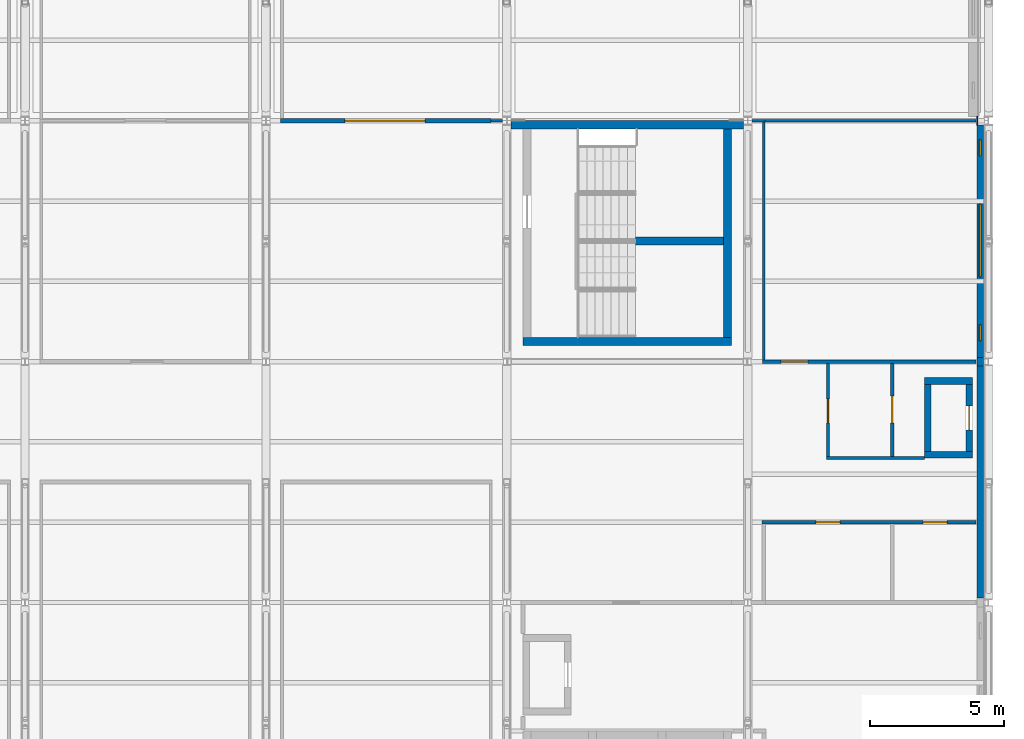
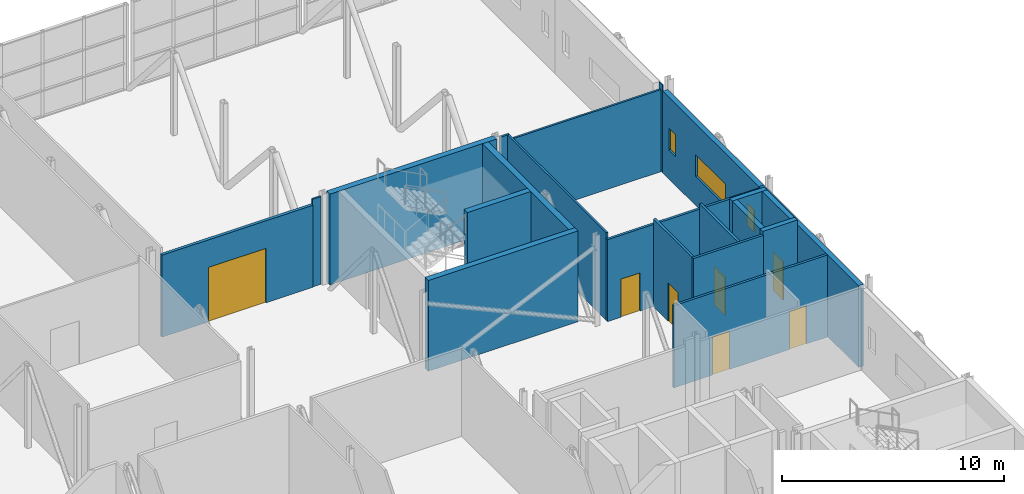
# One storey, part 81 of 94: 22 walls, 7 doors, 3 windows, 10 openings.
"""IFC4 building model written with IfcOpenShell, lengths in metres."""

from ifc_helpers import new_model, si_unit, direction, frame, frame_2d, origin, place, context, subcontext, project, spatial, rectangle, extrude, material, layer, layer_set, type_object, element, fill, save


model = new_model("IFC4")

# Units and contexts
model_context = context("Model", 3, precision=1e-05, world=origin(), true_north=direction((0.0, 1.0)))
body_context = subcontext(model_context, "Body", "Model", "MODEL_VIEW")
ifc_project = project(units=[si_unit("LENGTHUNIT", "METRE"), si_unit("AREAUNIT", "SQUARE_METRE"), si_unit("VOLUMEUNIT", "CUBIC_METRE"), si_unit("PLANEANGLEUNIT", "RADIAN"), si_unit("MASSUNIT", "GRAM", prefix="KILO")], contexts=[model_context])

# Site, building, storey
site_placement = place(None, origin())
site = spatial("IfcSite", under=ifc_project, at=site_placement, CompositionType="ELEMENT")
building_placement = place(site_placement, origin())
building = spatial("IfcBuilding", under=site, at=building_placement, Name="Shorebreak Coast Museum", CompositionType="ELEMENT")
storey_placement = place(building_placement, frame((0.0, 0.0, 31.0)))
storey = spatial("IfcBuildingStorey", under=building, at=storey_placement, Name="L05", CompositionType="ELEMENT", Elevation=31.0)

# Walls
ifc_material_1 = material(Name="Concrete N50 (50 MPa)", Category="concrete")
ifc_layer_1 = layer(ifc_material_1, 0.25)
ifc_layer_set_1 = layer_set([ifc_layer_1], Name="Concrete N50 (50 MPa)")
wall_type_1 = type_object("IfcWallType", Name="Column closure panel 250", PredefinedType="SOLIDWALL", material=ifc_layer_set_1)
wall_1_placement = place(storey_placement, frame((116.684814453125, 107.839111328125, 0.0), z_axis=(0.0, 0.0, 1.0), x_axis=(0.0, 1.0, 0.0)))
element("IfcWall", 1, at=wall_1_placement, inside=storey, type_object=wall_type_1, Name="Column closure panel L05 E 14N", PredefinedType="SOLIDWALL", context=body_context, shape_type="SweptSolid", body=[
    extrude(rectangle(XDim=0.32177734375, YDim=0.25, at=frame_2d((0.160888671875, 0.0))), origin(), (0.0, 0.0, 1.0), 4.50439453125),
])
ifc_material_2 = material(Name="Concrete N50 (50 MPa)", Category="concrete")
ifc_layer_2 = layer(ifc_material_2, 0.040283203125)
ifc_layer_set_2 = layer_set([ifc_layer_2], Name="Concrete N50 (50 MPa)")
wall_type_2 = type_object("IfcWallType", Name="Column closure panel 40", PredefinedType="SOLIDWALL", material=ifc_layer_set_2)
wall_2_placement = place(storey_placement, frame((116.579833984375, 116.83642578125, 0.0), z_axis=(0.0, 0.0, 1.0), x_axis=(0.0, 1.0, 0.0)))
element("IfcWall", 2, at=wall_2_placement, inside=storey, type_object=wall_type_2, Name="Column closure panel L05 E 14P", PredefinedType="SOLIDWALL", context=body_context, shape_type="SweptSolid", body=[
    extrude(rectangle(XDim=0.3271484375, YDim=0.040283203125, at=frame_2d((0.16357421875, 0.0))), origin(), (0.0, 0.0, 1.0), 4.824951171875),
])

# Wall, opening, door
ifc_material_3 = material(Name="Plasterboard on steel stud", Category="steel")
ifc_layer_3 = layer(ifc_material_3, 0.14990234375)
ifc_layer_set_3 = layer_set([ifc_layer_3], Name="Plasterboard on steel stud")
wall_type_3 = type_object("IfcWallType", Name="Fire partition 150", PredefinedType="PARTITIONING", material=ifc_layer_set_3)
wall_3_placement = place(storey_placement, frame((90.550048828125, 117.0, 0.0), z_axis=(0.0, 0.0, 1.0), x_axis=(1.0, 0.0, 0.0)))
wall_3 = element("IfcWall", 3, at=wall_3_placement, inside=storey, type_object=wall_type_3, Name="Partition L05-039", PredefinedType="PARTITIONING", context=body_context, shape_type="SweptSolid", body=[
    extrude(rectangle(XDim=7.849853515625, YDim=0.14990234375, at=frame_2d((3.9248046875, 0.0))), origin(), (0.0, 0.0, 1.0), 4.517822265625),
])
opening_1_placement = place(wall_3_placement, frame((2.39990234375, 0.0, 0.0)))
opening_1 = element("IfcOpeningElement", 4, at=opening_1_placement, cuts=wall_3, Name="Opening D5026", PredefinedType="OPENING", context=body_context, shape_type="SweptSolid", body=[
    extrude(rectangle(XDim=3.0, YDim=3.0, at=frame_2d((1.5, 1.5))), frame((0.0, 0.0849609375, 0.0), z_axis=(0.0, -1.0, 0.0), x_axis=(1.0, 0.0, 0.0)), (0.0, 0.0, 1.0), 0.169921875),
])
ifc_material_4 = material(Name="Steel", Category="steel")
door_type_1 = type_object("IfcDoorType", Name="Fire door 3000x3000 60", OperationType="DOUBLE_DOOR_SINGLE_SWING", PredefinedType="DOOR", material=ifc_material_4)
door_1_placement = place(opening_1_placement, origin())
door_1 = element("IfcDoor", 5, at=door_1_placement, inside=storey, type_object=door_type_1, Name="Door D5026 Maritime Gallery 5.03", OperationType="DOUBLE_DOOR_SINGLE_SWING", OverallHeight=3.0, OverallWidth=3.0, PredefinedType="DOOR", context=body_context, shape_type="SweptSolid", body=[
    extrude(rectangle(XDim=3.0, YDim=3.0, at=frame_2d((1.5, 1.5))), frame((0.0, 0.02490234375, 0.0), z_axis=(0.0, -1.0, 0.0), x_axis=(1.0, 0.0, 0.0)), (0.0, 0.0, 1.0), 0.050048828125),
])
fill(opening_1, door_1)

# Walls
ifc_material_5 = material(Name="Plasterboard on steel stud", Category="steel")
ifc_layer_4 = layer(ifc_material_5, 0.10009765625)
ifc_layer_set_4 = layer_set([ifc_layer_4], Name="Plasterboard on steel stud")
wall_type_4 = type_object("IfcWallType", Name="Partition 100", PredefinedType="PARTITIONING", material=ifc_layer_set_4)
wall_4_placement = place(storey_placement, frame((98.400390625, 117.0, 0.0), z_axis=(0.0, 0.0, 1.0), x_axis=(1.0, 0.0, 0.0)))
element("IfcWall", 6, at=wall_4_placement, inside=storey, type_object=wall_type_4, Name="Partition L05-040", PredefinedType="PARTITIONING", context=body_context, shape_type="SweptSolid", body=[
    extrude(rectangle(XDim=0.444091796875, YDim=0.10009765625, at=frame_2d((0.22216796875, 0.0))), origin(), (0.0, 0.0, 1.0), 4.824951171875),
])
wall_5_placement = place(storey_placement, frame((108.155517578125, 117.0, 0.0), z_axis=(0.0, 0.0, 1.0), x_axis=(1.0, 0.0, 0.0)))
element("IfcWall", 7, at=wall_5_placement, inside=storey, type_object=wall_type_4, Name="Partition L05-041", PredefinedType="PARTITIONING", context=body_context, shape_type="SweptSolid", body=[
    extrude(rectangle(XDim=0.493896484375, YDim=0.10009765625, at=frame_2d((0.2470703125, 0.0))), origin(), (0.0, 0.0, 1.0), 4.824951171875),
])
wall_6_placement = place(storey_placement, frame((108.550048828125, 117.0, 0.0), z_axis=(0.0, 0.0, 1.0), x_axis=(1.0, 0.0, 0.0)))
element("IfcWall", 8, at=wall_6_placement, inside=storey, type_object=wall_type_4, Name="Partition L05-042", PredefinedType="PARTITIONING", context=body_context, shape_type="SweptSolid", body=[
    extrude(rectangle(XDim=7.984619140625, YDim=0.10009765625, at=frame_2d((3.9921875, 0.0))), origin(), (0.0, 0.0, 1.0), 4.517822265625),
])
wall_7_placement = place(storey_placement, frame((108.60009765625, 108.0625, 0.0), z_axis=(0.0, 0.0, 1.0), x_axis=(0.0, 1.0, 0.0)))
element("IfcWall", 9, at=wall_7_placement, inside=storey, type_object=wall_type_4, Name="Partition L05-076", PredefinedType="PARTITIONING", context=body_context, shape_type="SweptSolid", body=[
    extrude(rectangle(XDim=8.887451171875, YDim=0.10009765625, at=frame_2d((4.44384765625, 0.0))), origin(), (0.0, 0.0, 1.0), 4.824951171875),
])

# Wall, openings, doors
ifc_material_6 = material(Name="Plasterboard on steel stud", Category="steel")
ifc_layer_5 = layer(ifc_material_6, 0.125)
ifc_layer_set_5 = layer_set([ifc_layer_5], Name="Plasterboard on steel stud")
wall_type_5 = type_object("IfcWallType", Name="Partition 125", PredefinedType="PARTITIONING", material=ifc_layer_set_5)
wall_8_placement = place(storey_placement, frame((108.53759765625, 102.0, 0.0), z_axis=(0.0, 0.0, 1.0), x_axis=(1.0, 0.0, 0.0)))
wall_8 = element("IfcWall", 10, at=wall_8_placement, inside=storey, type_object=wall_type_5, Name="Partition L05-025", PredefinedType="PARTITIONING", context=body_context, shape_type="SweptSolid", body=[
    extrude(rectangle(XDim=7.9970703125, YDim=0.125, at=frame_2d((3.99853515625, 0.0))), origin(), (0.0, 0.0, 1.0), 4.52099609375),
])
opening_2_placement = place(wall_8_placement, frame((6.012451171875, 0.0, 0.0)))
opening_2 = element("IfcOpeningElement", 11, at=opening_2_placement, cuts=wall_8, Name="Opening D5016", PredefinedType="OPENING", context=body_context, shape_type="SweptSolid", body=[
    extrude(rectangle(XDim=0.89990234375, YDim=2.10009765625, at=frame_2d((0.449951171875, 1.050048828125))), frame((0.0, 0.072509765625, 0.0), z_axis=(0.0, -1.0, 0.0), x_axis=(1.0, 0.0, 0.0)), (0.0, 0.0, 1.0), 0.14501953125),
])
opening_3_placement = place(wall_8_placement, frame((2.012451171875, 0.0, 0.0)))
opening_3 = element("IfcOpeningElement", 12, at=opening_3_placement, cuts=wall_8, Name="Opening D5017", PredefinedType="OPENING", context=body_context, shape_type="SweptSolid", body=[
    extrude(rectangle(XDim=0.89990234375, YDim=2.10009765625, at=frame_2d((0.449951171875, 1.050048828125))), frame((0.0, 0.072509765625, 0.0), z_axis=(0.0, -1.0, 0.0), x_axis=(1.0, 0.0, 0.0)), (0.0, 0.0, 1.0), 0.14501953125),
])
ifc_material_7 = material(Name="Timber", Category="wood")
door_type_2 = type_object("IfcDoorType", Name="Interior door 900x2100", OperationType="SINGLE_SWING_LEFT", PredefinedType="DOOR", material=ifc_material_7)
door_2_placement = place(opening_2_placement, origin())
door_2 = element("IfcDoor", 13, at=door_2_placement, inside=storey, type_object=door_type_2, Name="Door D5016 Accessible WC N2", OperationType="SINGLE_SWING_LEFT", OverallHeight=2.10009765625, OverallWidth=0.89990234375, PredefinedType="DOOR", context=body_context, shape_type="SweptSolid", body=[
    extrude(rectangle(XDim=0.89990234375, YDim=2.10009765625, at=frame_2d((0.449951171875, 1.050048828125))), frame((0.0, 0.02490234375, 0.0), z_axis=(0.0, -1.0, 0.0), x_axis=(1.0, 0.0, 0.0)), (0.0, 0.0, 1.0), 0.050048828125),
])
fill(opening_2, door_2)
door_3_placement = place(opening_3_placement, origin())
door_3 = element("IfcDoor", 14, at=door_3_placement, inside=storey, type_object=door_type_2, Name="Door D5017 Male WC N2", OperationType="SINGLE_SWING_LEFT", OverallHeight=2.10009765625, OverallWidth=0.89990234375, PredefinedType="DOOR", context=body_context, shape_type="SweptSolid", body=[
    extrude(rectangle(XDim=0.89990234375, YDim=2.10009765625, at=frame_2d((0.449951171875, 1.050048828125))), frame((0.0, 0.02490234375, 0.0), z_axis=(0.0, -1.0, 0.0), x_axis=(1.0, 0.0, 0.0)), (0.0, 0.0, 1.0), 0.050048828125),
])
fill(opening_3, door_3)

# Wall
wall_9_placement = place(storey_placement, frame((110.9375, 104.39990234375, 0.0), z_axis=(0.0, 0.0, 1.0), x_axis=(1.0, 0.0, 0.0)))
element("IfcWall", 15, at=wall_9_placement, inside=storey, type_object=wall_type_5, Name="Partition L05-030", PredefinedType="PARTITIONING", context=body_context, shape_type="SweptSolid", body=[
    extrude(rectangle(XDim=3.66259765625, YDim=0.125, at=frame_2d((1.831298828125, 0.0))), origin(), (0.0, 0.0, 1.0), 4.824951171875),
])

# Wall, opening, door
wall_10_placement = place(storey_placement, frame((108.550048828125, 108.0, 0.0), z_axis=(0.0, 0.0, 1.0), x_axis=(1.0, 0.0, 0.0)))
wall_10 = element("IfcWall", 16, at=wall_10_placement, inside=storey, type_object=wall_type_5, Name="Partition L05-033", PredefinedType="PARTITIONING", context=body_context, shape_type="SweptSolid", body=[
    extrude(rectangle(XDim=7.984619140625, YDim=0.125, at=frame_2d((3.9921875, 0.0))), origin(), (0.0, 0.0, 1.0), 4.517822265625),
])
opening_4_placement = place(wall_10_placement, frame((0.699951171875, 0.0, 0.0)))
opening_4 = element("IfcOpeningElement", 17, at=opening_4_placement, cuts=wall_10, Name="Opening D5019", PredefinedType="OPENING", context=body_context, shape_type="SweptSolid", body=[
    extrude(rectangle(XDim=1.0, YDim=2.10009765625, at=frame_2d((0.5, 1.050048828125))), frame((0.0, 0.072509765625, 0.0), z_axis=(0.0, -1.0, 0.0), x_axis=(1.0, 0.0, 0.0)), (0.0, 0.0, 1.0), 0.14501953125),
])
ifc_material_8 = material(Name="Timber", Category="wood")
door_type_3 = type_object("IfcDoorType", Name="Interior door 1000x2100", OperationType="SINGLE_SWING_LEFT", PredefinedType="DOOR", material=ifc_material_8)
door_4_placement = place(opening_4_placement, origin())
door_4 = element("IfcDoor", 18, at=door_4_placement, inside=storey, type_object=door_type_3, Name="Door D5019 Services Store 5.02", OperationType="SINGLE_SWING_RIGHT", OverallHeight=2.10009765625, OverallWidth=1.0, PredefinedType="DOOR", context=body_context, shape_type="SweptSolid", body=[
    extrude(rectangle(XDim=1.0, YDim=2.10009765625, at=frame_2d((0.5, 1.050048828125))), frame((0.0, 0.02490234375, 0.0), z_axis=(0.0, -1.0, 0.0), x_axis=(1.0, 0.0, 0.0)), (0.0, 0.0, 1.0), 0.050048828125),
])
fill(opening_4, door_4)

wall_11_placement = place(storey_placement, frame((111.0, 104.46240234375, 0.0), z_axis=(0.0, 0.0, 1.0), x_axis=(0.0, 1.0, 0.0)))
wall_11 = element("IfcWall", 19, at=wall_11_placement, inside=storey, type_object=wall_type_5, Name="Partition L05-080", PredefinedType="PARTITIONING", context=body_context, shape_type="SweptSolid", body=[
    extrude(rectangle(XDim=3.47509765625, YDim=0.125, at=frame_2d((1.737548828125, 0.0))), origin(), (0.0, 0.0, 1.0), 4.824951171875),
])
opening_5_placement = place(wall_11_placement, frame((1.25, 0.0, 0.0)))
opening_5 = element("IfcOpeningElement", 20, at=opening_5_placement, cuts=wall_11, Name="Opening D5015", PredefinedType="OPENING", context=body_context, shape_type="SweptSolid", body=[
    extrude(rectangle(XDim=0.89990234375, YDim=2.10009765625, at=frame_2d((0.449951171875, 1.050048828125))), frame((0.0, 0.072509765625, 0.0), z_axis=(0.0, -1.0, 0.0), x_axis=(1.0, 0.0, 0.0)), (0.0, 0.0, 1.0), 0.14501953125),
])
door_5_placement = place(opening_5_placement, origin())
door_5 = element("IfcDoor", 21, at=door_5_placement, inside=storey, type_object=door_type_2, Name="Door D5015 Female WC N2", OperationType="SINGLE_SWING_LEFT", OverallHeight=2.10009765625, OverallWidth=0.89990234375, PredefinedType="DOOR", context=body_context, shape_type="SweptSolid", body=[
    extrude(rectangle(XDim=0.89990234375, YDim=2.10009765625, at=frame_2d((0.449951171875, 1.050048828125))), frame((0.0, 0.02490234375, 0.0), z_axis=(0.0, -1.0, 0.0), x_axis=(1.0, 0.0, 0.0)), (0.0, 0.0, 1.0), 0.050048828125),
])
fill(opening_5, door_5)

wall_12_placement = place(storey_placement, frame((113.39990234375, 104.46240234375, 0.0), z_axis=(0.0, 0.0, 1.0), x_axis=(0.0, 1.0, 0.0)))
wall_12 = element("IfcWall", 22, at=wall_12_placement, inside=storey, type_object=wall_type_5, Name="Partition L05-082", PredefinedType="PARTITIONING", context=body_context, shape_type="SweptSolid", body=[
    extrude(rectangle(XDim=3.47509765625, YDim=0.125, at=frame_2d((1.737548828125, 0.0))), origin(), (0.0, 0.0, 1.0), 4.824951171875),
])
opening_6_placement = place(wall_12_placement, frame((1.25, 0.0, 0.0)))
opening_6 = element("IfcOpeningElement", 23, at=opening_6_placement, cuts=wall_12, Name="Opening D5014", PredefinedType="OPENING", context=body_context, shape_type="SweptSolid", body=[
    extrude(rectangle(XDim=1.0, YDim=2.10009765625, at=frame_2d((0.5, 1.050048828125))), frame((0.0, 0.072509765625, 0.0), z_axis=(0.0, -1.0, 0.0), x_axis=(1.0, 0.0, 0.0)), (0.0, 0.0, 1.0), 0.14501953125),
])
door_6_placement = place(opening_6_placement, origin())
door_6 = element("IfcDoor", 24, at=door_6_placement, inside=storey, type_object=door_type_3, Name="Door D5014 Cleaner Store N2", OperationType="SINGLE_SWING_LEFT", OverallHeight=2.10009765625, OverallWidth=1.0, PredefinedType="DOOR", context=body_context, shape_type="SweptSolid", body=[
    extrude(rectangle(XDim=1.0, YDim=2.10009765625, at=frame_2d((0.5, 1.050048828125))), frame((0.0, 0.02490234375, 0.0), z_axis=(0.0, -1.0, 0.0), x_axis=(1.0, 0.0, 0.0)), (0.0, 0.0, 1.0), 0.050048828125),
])
fill(opening_6, door_6)

# Wall
ifc_material_9 = material(Name="Concrete N50 (50 MPa)", Category="concrete")
ifc_layer_6 = layer(ifc_material_9, 0.25)
ifc_layer_set_6 = layer_set([ifc_layer_6], Name="Concrete N50 (50 MPa)")
wall_type_6 = type_object("IfcWallType", Name="Precast upper panel 250", PredefinedType="SOLIDWALL", material=ifc_layer_set_6)
wall_13_placement = place(storey_placement, frame((116.684814453125, 99.160888671875, 0.0), z_axis=(0.0, 0.0, 1.0), x_axis=(0.0, 1.0, 0.0)))
element("IfcWall", 25, at=wall_13_placement, inside=storey, type_object=wall_type_6, Name="External wall L05 E 14M", PredefinedType="SOLIDWALL", context=body_context, shape_type="SweptSolid", body=[
    extrude(rectangle(XDim=8.67822265625, YDim=0.25, at=frame_2d((4.339111328125, 0.0))), origin(), (0.0, 0.0, 1.0), 4.50439453125),
])

# Wall, openings, windows
wall_14_placement = place(storey_placement, frame((116.684814453125, 108.160888671875, 0.0), z_axis=(0.0, 0.0, 1.0), x_axis=(0.0, 1.0, 0.0)))
wall_14 = element("IfcWall", 26, at=wall_14_placement, inside=storey, type_object=wall_type_6, Name="External wall L05 E 14N", PredefinedType="SOLIDWALL", context=body_context, shape_type="SweptSolid", body=[
    extrude(rectangle(XDim=8.675537109375, YDim=0.25, at=frame_2d((4.337890625, 0.0))), origin(), (0.0, 0.0, 1.0), 4.50439453125),
])
opening_7_placement = place(wall_14_placement, frame((0.623046875, 0.0, 1.60009765625)))
opening_7 = element("IfcOpeningElement", 27, at=opening_7_placement, cuts=wall_14, Name="Opening WN5002", PredefinedType="OPENING", context=body_context, shape_type="SweptSolid", body=[
    extrude(rectangle(XDim=0.60009765625, YDim=1.199951171875, at=frame_2d((0.300048828125, 0.60009765625))), frame((0.0, 0.135009765625, 0.0), z_axis=(0.0, -1.0, 0.0), x_axis=(1.0, 0.0, 0.0)), (0.0, 0.0, 1.0), 0.27001953125),
])
opening_8_placement = place(wall_14_placement, frame((3.01708984375, 0.0, 1.60009765625)))
opening_8 = element("IfcOpeningElement", 28, at=opening_8_placement, cuts=wall_14, Name="Opening WN5011", PredefinedType="OPENING", context=body_context, shape_type="SweptSolid", body=[
    extrude(rectangle(XDim=2.699951171875, YDim=1.199951171875, at=frame_2d((1.35009765625, 0.60009765625))), frame((0.0, 0.135009765625, 0.0), z_axis=(0.0, -1.0, 0.0), x_axis=(1.0, 0.0, 0.0)), (0.0, 0.0, 1.0), 0.27001953125),
])
opening_9_placement = place(wall_14_placement, frame((7.523193359375, 0.0, 1.60009765625)))
opening_9 = element("IfcOpeningElement", 29, at=opening_9_placement, cuts=wall_14, Name="Opening WN5012", PredefinedType="OPENING", context=body_context, shape_type="SweptSolid", body=[
    extrude(rectangle(XDim=0.60009765625, YDim=1.199951171875, at=frame_2d((0.300048828125, 0.60009765625))), frame((0.0, 0.135009765625, 0.0), z_axis=(0.0, -1.0, 0.0), x_axis=(1.0, 0.0, 0.0)), (0.0, 0.0, 1.0), 0.27001953125),
])
ifc_material_10 = material(Name="Aluminium", Category="aluminium")
window_type_1 = type_object("IfcWindowType", Name="Truss-bay window 2700 x 1200", PartitioningType="SINGLE_PANEL", PredefinedType="WINDOW", material=ifc_material_10)
window_1_placement = place(opening_8_placement, origin())
window_1 = element("IfcWindow", 30, at=window_1_placement, inside=storey, type_object=window_type_1, Name="Window WN5011", OverallHeight=1.199951171875, OverallWidth=2.699951171875, PartitioningType="SINGLE_PANEL", PredefinedType="WINDOW", context=body_context, shape_type="SweptSolid", body=[
    extrude(rectangle(XDim=2.699951171875, YDim=1.199951171875, at=frame_2d((1.35009765625, 0.60009765625))), frame((0.0, 0.030029296875, 0.0), z_axis=(0.0, -1.0, 0.0), x_axis=(1.0, 0.0, 0.0)), (0.0, 0.0, 1.0), 0.06005859375),
])
fill(opening_8, window_1)
ifc_material_11 = material(Name="Aluminium", Category="aluminium")
window_type_2 = type_object("IfcWindowType", Name="Truss-bay window 600 x 1200", PartitioningType="SINGLE_PANEL", PredefinedType="WINDOW", material=ifc_material_11)
window_2_placement = place(opening_7_placement, origin())
window_2 = element("IfcWindow", 31, at=window_2_placement, inside=storey, type_object=window_type_2, Name="Window WN5002", OverallHeight=1.199951171875, OverallWidth=0.60009765625, PartitioningType="SINGLE_PANEL", PredefinedType="WINDOW", context=body_context, shape_type="SweptSolid", body=[
    extrude(rectangle(XDim=0.60009765625, YDim=1.199951171875, at=frame_2d((0.300048828125, 0.60009765625))), frame((0.0, 0.030029296875, 0.0), z_axis=(0.0, -1.0, 0.0), x_axis=(1.0, 0.0, 0.0)), (0.0, 0.0, 1.0), 0.06005859375),
])
fill(opening_7, window_2)
window_3_placement = place(opening_9_placement, origin())
window_3 = element("IfcWindow", 32, at=window_3_placement, inside=storey, type_object=window_type_2, Name="Window WN5012", OverallHeight=1.199951171875, OverallWidth=0.60009765625, PartitioningType="SINGLE_PANEL", PredefinedType="WINDOW", context=body_context, shape_type="SweptSolid", body=[
    extrude(rectangle(XDim=0.60009765625, YDim=1.199951171875, at=frame_2d((0.300048828125, 0.60009765625))), frame((0.0, 0.030029296875, 0.0), z_axis=(0.0, -1.0, 0.0), x_axis=(1.0, 0.0, 0.0)), (0.0, 0.0, 1.0), 0.06005859375),
])
fill(opening_9, window_3)

# Walls
ifc_material_12 = material(Name="Concrete N50 (50 MPa)", Category="concrete")
ifc_layer_7 = layer(ifc_material_12, 0.25)
ifc_layer_set_7 = layer_set([ifc_layer_7], Name="Concrete N50 (50 MPa)")
wall_type_7 = type_object("IfcWallType", Name="RC riser wall 250", PredefinedType="STANDARD", material=ifc_layer_set_7)
for number, where, z_axis, x_axis, name in (
    (33, (114.60009765625, 104.52490234375, 0.0), (0.0, 0.0, 1.0), (1.0, 0.0, 0.0), "Riser wall R-WC-N2 L05 S"),
    (34, (114.60009765625, 107.27490234375, 0.0), (0.0, 0.0, 1.0), (1.0, 0.0, 0.0), "Riser wall R-WC-N2 L05 N"),
):
    element("IfcWall", number, at=place(storey_placement, frame(where, z_axis=z_axis, x_axis=x_axis)), inside=storey, type_object=wall_type_7, Name=name, PredefinedType="STANDARD", context=body_context, shape_type="SweptSolid", body=[
        extrude(rectangle(XDim=1.7998046875, YDim=0.25, at=frame_2d((0.89990234375, 0.0))), origin(), (0.0, 0.0, 1.0), 5.0),
    ])
wall_15_placement = place(storey_placement, frame((114.72509765625, 104.64990234375, 0.0), z_axis=(0.0, 0.0, 1.0), x_axis=(0.0, 1.0, 0.0)))
element("IfcWall", 35, at=wall_15_placement, inside=storey, type_object=wall_type_7, Name="Riser wall R-WC-N2 L05 W", PredefinedType="STANDARD", context=body_context, shape_type="SweptSolid", body=[
    extrude(rectangle(XDim=2.5, YDim=0.25, at=frame_2d((1.25, 0.0))), origin(), (0.0, 0.0, 1.0), 5.0),
])

# Wall, opening, door
wall_16_placement = place(storey_placement, frame((116.27490234375, 104.64990234375, 0.0), z_axis=(0.0, 0.0, 1.0), x_axis=(0.0, 1.0, 0.0)))
wall_16 = element("IfcWall", 36, at=wall_16_placement, inside=storey, type_object=wall_type_7, Name="Riser wall R-WC-N2 L05 E", PredefinedType="STANDARD", context=body_context, shape_type="SweptSolid", body=[
    extrude(rectangle(XDim=2.5, YDim=0.25, at=frame_2d((1.25, 0.0))), origin(), (0.0, 0.0, 1.0), 5.0),
])
opening_10_placement = place(wall_16_placement, frame((0.800048828125, 0.0, 0.0)))
opening_10 = element("IfcOpeningElement", 37, at=opening_10_placement, cuts=wall_16, Name="Opening D5602", PredefinedType="OPENING", context=body_context, shape_type="SweptSolid", body=[
    extrude(rectangle(XDim=0.89990234375, YDim=2.10009765625, at=frame_2d((0.449951171875, 1.050048828125))), frame((0.0, 0.135009765625, 0.0), z_axis=(0.0, -1.0, 0.0), x_axis=(1.0, 0.0, 0.0)), (0.0, 0.0, 1.0), 0.27001953125),
])
ifc_material_13 = material(Name="Steel Grade 300", Category="steel")
door_type_4 = type_object("IfcDoorType", Name="Riser door 900x2100", OperationType="SINGLE_SWING_LEFT", PredefinedType="DOOR", material=ifc_material_13)
door_7_placement = place(opening_10_placement, origin())
door_7 = element("IfcDoor", 38, at=door_7_placement, inside=storey, type_object=door_type_4, Name="Riser door R-WC-N2 L05", OperationType="SINGLE_SWING_LEFT", OverallHeight=2.10009765625, OverallWidth=0.89990234375, PredefinedType="DOOR", context=body_context, shape_type="SweptSolid", body=[
    extrude(rectangle(XDim=0.89990234375, YDim=2.10009765625, at=frame_2d((0.449951171875, 1.050048828125))), frame((0.0, 0.02490234375, 0.0), z_axis=(0.0, -1.0, 0.0), x_axis=(1.0, 0.0, 0.0)), (0.0, 0.0, 1.0), 0.050048828125),
])
fill(opening_10, door_7)

# Walls
ifc_material_14 = material(Name="Concrete N50 (50 MPa)", Category="concrete")
ifc_layer_8 = layer(ifc_material_14, 0.300048828125)
ifc_layer_set_8 = layer_set([ifc_layer_8], Name="Concrete N50 (50 MPa)")
wall_type_8 = type_object("IfcWallType", Name="RC wall 300", PredefinedType="SHEAR", material=ifc_layer_set_8)
wall_17_placement = place(storey_placement, frame((99.60009765625, 108.75, 0.0), z_axis=(0.0, 0.0, 1.0), x_axis=(1.0, 0.0, 0.0)))
element("IfcWall", 39, at=wall_17_placement, inside=storey, type_object=wall_type_8, Name="Stair core wall ST10 L05 S", PredefinedType="SHEAR", context=body_context, shape_type="SweptSolid", body=[
    extrude(rectangle(XDim=7.7998046875, YDim=0.300048828125, at=frame_2d((3.89990234375, 0.0))), origin(), (0.0, 0.0, 1.0), 5.0),
])
wall_18_placement = place(storey_placement, frame((99.155517578125, 116.85009765625, 0.0), z_axis=(0.0, 0.0, 1.0), x_axis=(1.0, 0.0, 0.0)))
element("IfcWall", 40, at=wall_18_placement, inside=storey, type_object=wall_type_8, Name="Stair core wall ST10 L05 N", PredefinedType="SHEAR", context=body_context, shape_type="SweptSolid", body=[
    extrude(rectangle(XDim=8.68896484375, YDim=0.300048828125, at=frame_2d((4.344482421875, 0.0))), origin(), (0.0, 0.0, 1.0), 5.0),
])
wall_19_placement = place(storey_placement, frame((107.25, 108.89990234375, 0.0), z_axis=(0.0, 0.0, 1.0), x_axis=(0.0, 1.0, 0.0)))
element("IfcWall", 41, at=wall_19_placement, inside=storey, type_object=wall_type_8, Name="Stair core wall ST10 L05 E", PredefinedType="SHEAR", context=body_context, shape_type="SweptSolid", body=[
    extrude(rectangle(XDim=7.800048828125, YDim=0.300048828125, at=frame_2d((3.89990234375, 0.0))), origin(), (0.0, 0.0, 1.0), 5.0),
])
wall_20_placement = place(storey_placement, frame((103.800048828125, 112.5, 0.0), z_axis=(0.0, 0.0, 1.0), x_axis=(1.0, 0.0, 0.0)))
element("IfcWall", 42, at=wall_20_placement, inside=storey, type_object=wall_type_8, Name="Stair spine wall ST10 L05", PredefinedType="SHEAR", context=body_context, shape_type="SweptSolid", body=[
    extrude(rectangle(XDim=3.300048828125, YDim=0.300048828125, at=frame_2d((1.64990234375, 0.0))), origin(), (0.0, 0.0, 1.0), 5.0),
])

save(model, "model.ifc")
